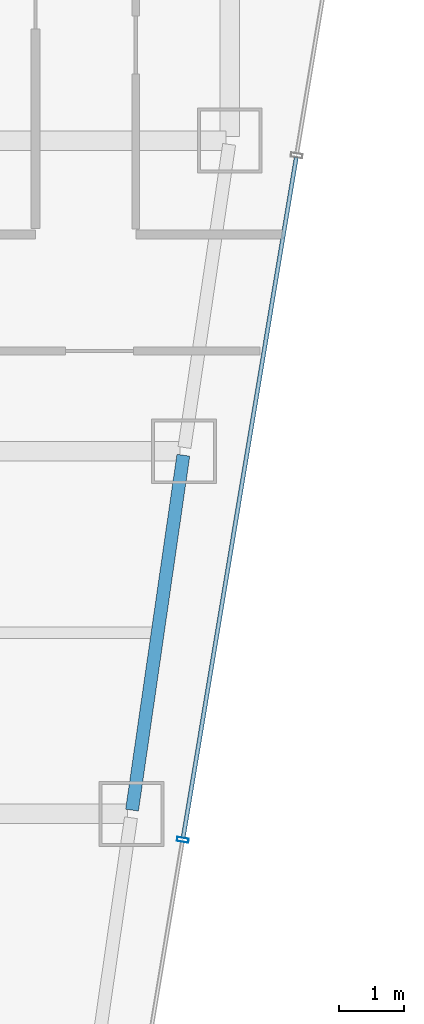
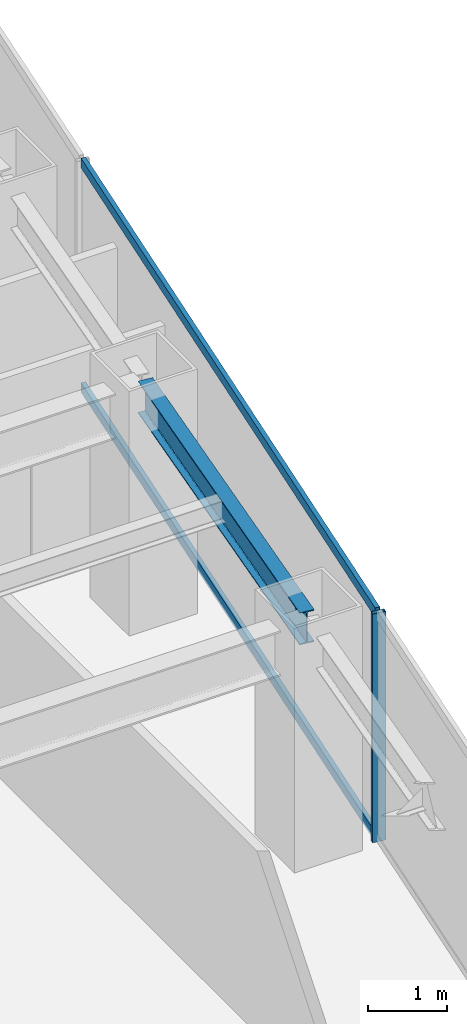
# One storey, part 18 of 36: 3 members, 1 beam, 1 element without a shape of its own.
"""IFC4 building model written with IfcOpenShell, lengths in metres."""

from ifc_helpers import new_model, si_unit, direction, frame, origin, origin_2d, place, context, subcontext, project, spatial, hollow_rectangle, i_section, extrude, material, material_profile, profile_set, type_object, element, aggregate, save


model = new_model("IFC4")

# Units and contexts
model_context = context("Model", 3, precision=1e-05, world=origin(), true_north=direction((0.0, 1.0)))
body_context = subcontext(model_context, "Body", "Model", "MODEL_VIEW")
ifc_project = project(units=[si_unit("LENGTHUNIT", "METRE"), si_unit("AREAUNIT", "SQUARE_METRE"), si_unit("VOLUMEUNIT", "CUBIC_METRE"), si_unit("PLANEANGLEUNIT", "RADIAN"), si_unit("MASSUNIT", "GRAM", prefix="KILO")], contexts=[model_context])

# Site, building, storey
site_placement = place(None, origin())
site = spatial("IfcSite", under=ifc_project, at=site_placement, CompositionType="ELEMENT")
building_placement = place(site_placement, origin())
building = spatial("IfcBuilding", under=site, at=building_placement, Name="Saevonmaru Cultural Tower", CompositionType="ELEMENT")
storey_placement = place(building_placement, frame((0.0, 0.0, 148.60009765625)))
storey = spatial("IfcBuildingStorey", under=building, at=storey_placement, Name="L32", CompositionType="ELEMENT", Elevation=148.60009765625)

# Beam
ifc_material_1 = material(Name="Steel SM355", Category="steel")
ifc_material_profile_1 = material_profile(ifc_material_1, i_section(OverallWidth=0.199951171875, OverallDepth=0.5, WebThickness=0.010009765625, FlangeThickness=0.01611328125, FilletRadius=0.02001953125, at=origin_2d()), Name="H-500x200x10x16")
ifc_profile_set_1 = profile_set([ifc_material_profile_1], Name="Steel SM355")
beam_type = type_object("IfcBeamType", Name="BM-SP-H500", PredefinedType="SPANDREL", material=ifc_profile_set_1)
beam_placement = place(storey_placement, frame((51.691650390625, 32.059326171875, 3.2998046875), z_axis=(0.142964121327, 0.989727871697, 0.0), x_axis=(-0.989727871697, 0.142964121327, 0.0)))
element("IfcBeam", 1, at=beam_placement, inside=storey, type_object=beam_type, Name="L32 East Splayed Spandrel 4", PredefinedType="SPANDREL", context=body_context, shape_type="SweptSolid", body=[
    extrude(i_section(OverallWidth=0.199951171875, OverallDepth=0.5, WebThickness=0.010009765625, FlangeThickness=0.01611328125, FilletRadius=0.02001953125, at=origin_2d()), origin(), (0.0, 0.0, 1.0), 5.5380859375),
])

# Curtain wall, members
ifc_material_2 = material(Name="Satin Bronze Anodised Aluminium", Category="aluminium")
curtain_wall_type = type_object("IfcCurtainWallType", Name="CW-TYP-A", PredefinedType="NOTDEFINED", material=ifc_material_2)
curtain_wall_placement = place(storey_placement, origin())
curtain_wall = element("IfcCurtainWall", 2, at=curtain_wall_placement, inside=storey, type_object=curtain_wall_type, Name="L32 Unitised Curtain Wall E8", PredefinedType="NOTDEFINED")
ifc_material_profile_2 = material_profile(ifc_material_2, hollow_rectangle(XDim=0.06494140625, YDim=0.179931640625, WallThickness=0.00390625, at=origin_2d()), Name="ALU-MULL-180x65x4")
ifc_profile_set_2 = profile_set([ifc_material_profile_2], Name="Satin Bronze Anodised Aluminium")
member_type_1 = type_object("IfcMemberType", Name="ML-CW-180x65", PredefinedType="MULLION", material=ifc_profile_set_2)
member_1_placement = place(storey_placement, frame((52.4755859375, 31.60009765625, 0.0), z_axis=(0.0, 0.0, 1.0), x_axis=(0.163998702345, 0.986460554523, 0.0)))
member_1 = element("IfcMember", 3, at=member_1_placement, type_object=member_type_1, Name="CW-TW-L32-E8 mullion 3", PredefinedType="MULLION", context=body_context, shape_type="SweptSolid", body=[
    extrude(hollow_rectangle(XDim=0.06494140625, YDim=0.179931640625, WallThickness=0.00390625, at=origin_2d()), origin(), (0.0, 0.0, 1.0), 3.5498046875),
])
ifc_material_profile_3 = material_profile(ifc_material_2, hollow_rectangle(XDim=0.06494140625, YDim=0.14990234375, WallThickness=0.00390625, at=origin_2d()), Name="ALU-TRAN-150x65x4")
ifc_profile_set_3 = profile_set([ifc_material_profile_3], Name="Satin Bronze Anodised Aluminium")
member_type_2 = type_object("IfcMemberType", Name="TR-CW-150x65", PredefinedType="USERDEFINED", material=ifc_profile_set_3)
member_2_placement = place(storey_placement, frame((52.48095703125, 31.632080078125, 0.032470703125), z_axis=(0.163990079074, 0.9864619881, 0.0), x_axis=(-0.9864619881, 0.163990079074, 0.0)))
member_2 = element("IfcMember", 4, at=member_2_placement, type_object=member_type_2, Name="CW-TW-L32-E8 transom 3.1", ObjectType="TRANSOM", PredefinedType="USERDEFINED", context=body_context, shape_type="SweptSolid", body=[
    extrude(hollow_rectangle(XDim=0.06494140625, YDim=0.14990234375, WallThickness=0.00390625, at=origin_2d()), origin(), (0.0, 0.0, 1.0), 10.650634765625),
])
member_3_placement = place(storey_placement, frame((52.48095703125, 31.632080078125, 3.517333984375), z_axis=(0.163990079074, 0.9864619881, 0.0), x_axis=(-0.9864619881, 0.163990079074, 0.0)))
member_3 = element("IfcMember", 5, at=member_3_placement, type_object=member_type_2, Name="CW-TW-L32-E8 transom 3.2", ObjectType="TRANSOM", PredefinedType="USERDEFINED", context=body_context, shape_type="SweptSolid", body=[
    extrude(hollow_rectangle(XDim=0.06494140625, YDim=0.14990234375, WallThickness=0.00390625, at=origin_2d()), origin(), (0.0, 0.0, 1.0), 10.650634765625),
])
aggregate(curtain_wall, [member_1, member_2, member_3])

save(model, "model.ifc")
